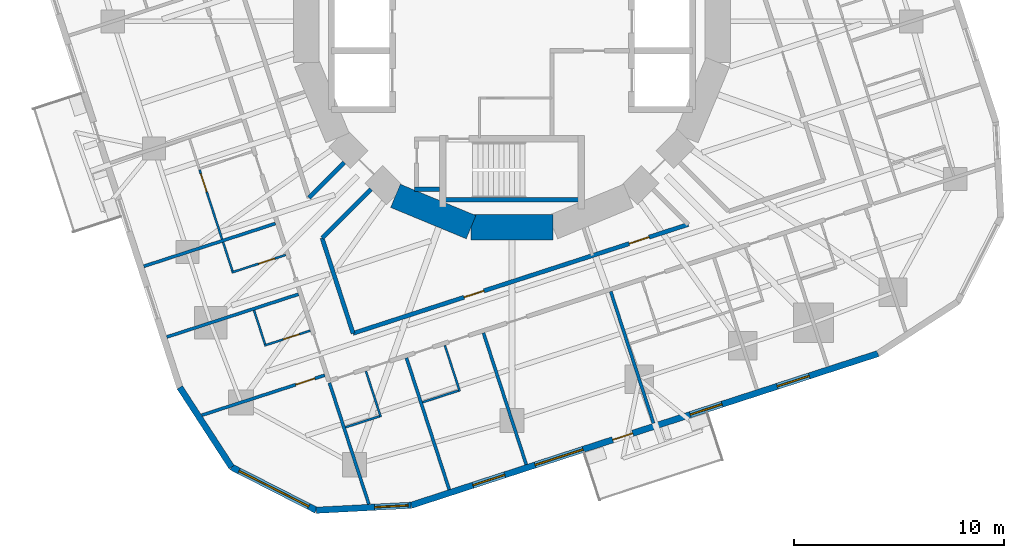
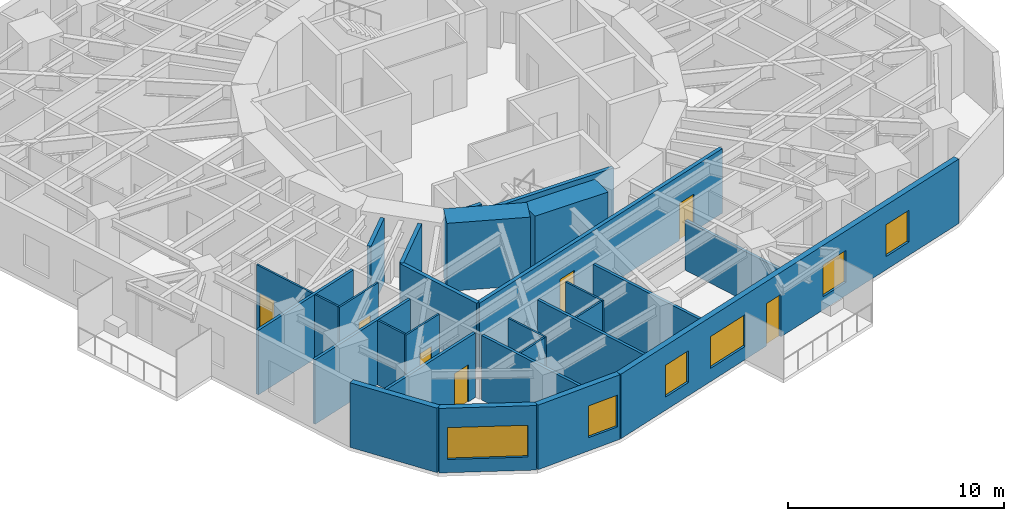
# One storey, part 4 of 12: 28 walls, 7 doors, 6 windows, 13 openings.
"""IFC4 building model written with IfcOpenShell, lengths in metres."""

from ifc_helpers import new_model, si_unit, direction, frame, frame_2d, origin, place, context, subcontext, project, spatial, rectangle, extrude, material, layer, layer_set, type_object, element, fill, save


model = new_model("IFC4")

# Units and contexts
model_context = context("Model", 3, precision=1e-05, world=origin(), true_north=direction((0.0, 1.0)))
body_context = subcontext(model_context, "Body", "Model", "MODEL_VIEW")
ifc_project = project(units=[si_unit("LENGTHUNIT", "METRE"), si_unit("AREAUNIT", "SQUARE_METRE"), si_unit("VOLUMEUNIT", "CUBIC_METRE"), si_unit("PLANEANGLEUNIT", "RADIAN"), si_unit("MASSUNIT", "GRAM", prefix="KILO")], contexts=[model_context])

# Site, building, storey
site_placement = place(None, origin())
site = spatial("IfcSite", under=ifc_project, at=site_placement, CompositionType="ELEMENT")
building_placement = place(site_placement, origin())
building = spatial("IfcBuilding", under=site, at=building_placement, Name="Nakasero Lantern House", CompositionType="ELEMENT")
storey_placement = place(building_placement, frame((0.0, 0.0, 145.64990234375)))
storey = spatial("IfcBuildingStorey", under=building, at=storey_placement, Name="L35", CompositionType="ELEMENT", Elevation=145.64990234375)

# Walls
ifc_material_1 = material(Name="Concrete C50/60", Category="concrete")
ifc_layer_1 = layer(ifc_material_1, 1.199951171875)
ifc_layer_set_1 = layer_set([ifc_layer_1], Name="Core wall 1200")
wall_type_1 = type_object("IfcWallType", Name="Core wall 1200", PredefinedType="SHEAR", material=ifc_layer_set_1)
for number, where, z_axis, x_axis, name in (
    (1, (-5.5556640625, -8.314697265625, 0.0), (0.0, 0.0, 1.0), (0.923876507187, -0.382690736062, 0.0), "Core wall L35 facet 11"),
    (2, (-1.950927734375, -9.807861328125, 0.0), (0.0, 0.0, 1.0), (1.0, 0.0, 0.0), "Core wall L35 facet 12"),
):
    element("IfcWall", number, at=place(storey_placement, frame(where, z_axis=z_axis, x_axis=x_axis)), inside=storey, type_object=wall_type_1, Name=name, PredefinedType="SHEAR", context=body_context, shape_type="SweptSolid", body=[
        extrude(rectangle(XDim=3.90185546875, YDim=1.199951171875, at=frame_2d((1.950927734375, 0.0))), origin(), (0.0, 0.0, 1.0), 3.85009765625),
    ])
ifc_material_2 = material(Name="Blockwork", Category="masonry")
ifc_layer_2 = layer(ifc_material_2, 0.199951171875)
ifc_layer_set_2 = layer_set([ifc_layer_2], Name="Corridor wall 200")
wall_type_2 = type_object("IfcWallType", Name="Corridor wall 200", PredefinedType="PARTITIONING", material=ifc_layer_set_2)
wall_1_placement = place(storey_placement, frame((-9.052490234375, -10.3251953125, 0.0), z_axis=(0.0, 0.0, 1.0), x_axis=(0.309013275037, -0.951057724773, 0.0)))
element("IfcWall", 3, at=wall_1_placement, inside=storey, type_object=wall_type_2, Name="Corridor wall L35 IW2-1", PredefinedType="PARTITIONING", context=body_context, shape_type="SweptSolid", body=[
    extrude(rectangle(XDim=4.777587890625, YDim=0.199951171875, at=frame_2d((2.388671875, 0.0))), origin(), (0.0, 0.0, 1.0), 3.650146484375),
])

# Wall, openings, doors
wall_2_placement = place(storey_placement, frame((-7.576171875, -14.868896484375, 0.0), z_axis=(0.0, 0.0, 1.0), x_axis=(0.951057770893, 0.309013133095, 0.0)))
wall_2 = element("IfcWall", 4, at=wall_2_placement, inside=storey, type_object=wall_type_2, Name="Corridor wall L35 IW3-0", PredefinedType="PARTITIONING", context=body_context, shape_type="SweptSolid", body=[
    extrude(rectangle(XDim=16.80224609375, YDim=0.199951171875, at=frame_2d((8.401123046875, 0.0))), origin(), (0.0, 0.0, 1.0), 3.650146484375),
])
opening_1_placement = place(wall_2_placement, frame((5.5625, 0.0, 0.0)))
opening_1 = element("IfcOpeningElement", 5, at=opening_1_placement, cuts=wall_2, Name="Opening D07", PredefinedType="OPENING", context=body_context, shape_type="SweptSolid", body=[
    extrude(rectangle(XDim=1.0, YDim=2.10009765625, at=frame_2d((0.5, 1.050048828125))), frame((0.0, 0.119873046875, 0.0), z_axis=(0.0, -1.0, 0.0), x_axis=(1.0, 0.0, 0.0)), (0.0, 0.0, 1.0), 0.239990234375),
])
opening_2_placement = place(wall_2_placement, frame((13.838623046875, 0.0, 0.0)))
opening_2 = element("IfcOpeningElement", 6, at=opening_2_placement, cuts=wall_2, Name="Opening D07", PredefinedType="OPENING", context=body_context, shape_type="SweptSolid", body=[
    extrude(rectangle(XDim=1.0, YDim=2.10009765625, at=frame_2d((0.5, 1.050048828125))), frame((0.0, 0.119873046875, 0.0), z_axis=(0.0, -1.0, 0.0), x_axis=(1.0, 0.0, 0.0)), (0.0, 0.0, 1.0), 0.239990234375),
])
ifc_material_3 = material(Name="Timber C24", Category="wood")
door_type_1 = type_object("IfcDoorType", Name="Room door FD30S 1000", OperationType="SINGLE_SWING_LEFT", PredefinedType="DOOR", material=ifc_material_3)
door_1_placement = place(opening_1_placement, origin())
door_1 = element("IfcDoor", 7, at=door_1_placement, inside=storey, type_object=door_type_1, Name="Door L35 DI2", OperationType="SINGLE_SWING_LEFT", OverallHeight=2.10009765625, OverallWidth=1.0, PredefinedType="DOOR", context=body_context, shape_type="SweptSolid", body=[
    extrude(rectangle(XDim=1.0, YDim=2.10009765625, at=frame_2d((0.5, 1.050048828125))), frame((0.0, 0.02490234375, 0.0), z_axis=(0.0, -1.0, 0.0), x_axis=(1.0, 0.0, 0.0)), (0.0, 0.0, 1.0), 0.050048828125),
])
fill(opening_1, door_1)
door_2_placement = place(opening_2_placement, origin())
door_2 = element("IfcDoor", 8, at=door_2_placement, inside=storey, type_object=door_type_1, Name="Door L35 DI3", OperationType="SINGLE_SWING_RIGHT", OverallHeight=2.10009765625, OverallWidth=1.0, PredefinedType="DOOR", context=body_context, shape_type="SweptSolid", body=[
    extrude(rectangle(XDim=1.0, YDim=2.10009765625, at=frame_2d((0.5, 1.050048828125))), frame((0.0, 0.02490234375, 0.0), z_axis=(0.0, -1.0, 0.0), x_axis=(1.0, 0.0, 0.0)), (0.0, 0.0, 1.0), 0.050048828125),
])
fill(opening_2, door_2)

# Walls
wall_3_placement = place(storey_placement, frame((-6.72314453125, -7.995849609375, 0.0), z_axis=(0.0, 0.0, 1.0), x_axis=(-0.707106781187, -0.707106781187, 0.0)))
element("IfcWall", 9, at=wall_3_placement, inside=storey, type_object=wall_type_2, Name="Corridor wall L35 PS10a", PredefinedType="PARTITIONING", context=body_context, shape_type="SweptSolid", body=[
    extrude(rectangle(XDim=3.294189453125, YDim=0.199951171875, at=frame_2d((1.64697265625, 0.0))), origin(), (0.0, 0.0, 1.0), 3.650146484375),
])
wall_4_placement = place(storey_placement, frame((-7.995849609375, -6.72314453125, 0.0), z_axis=(0.0, 0.0, 1.0), x_axis=(-0.707158134306, -0.707055424337, 0.0)))
element("IfcWall", 10, at=wall_4_placement, inside=storey, type_object=wall_type_2, Name="Corridor wall L35 PS10b", PredefinedType="PARTITIONING", context=body_context, shape_type="SweptSolid", body=[
    extrude(rectangle(XDim=2.376953125, YDim=0.199951171875, at=frame_2d((1.1884765625, 0.0))), origin(), (0.0, 0.0, 1.0), 3.650146484375),
])

# Wall, opening, door
ifc_material_4 = material(Name="Blockwork", Category="masonry")
ifc_layer_3 = layer(ifc_material_4, 0.10009765625)
ifc_layer_set_3 = layer_set([ifc_layer_3], Name="En-suite wall 100")
wall_type_3 = type_object("IfcWallType", Name="En-suite wall 100", PredefinedType="PARTITIONING", material=ifc_layer_set_3)
wall_5_placement = place(storey_placement, frame((-10.7880859375, -11.131591796875, 0.0), z_axis=(0.0, 0.0, 1.0), x_axis=(-0.951043371037, -0.309057448393, 0.0)))
wall_5 = element("IfcWall", 11, at=wall_5_placement, inside=storey, type_object=wall_type_3, Name="En-suite wall L35 ES2-05", PredefinedType="PARTITIONING", context=body_context, shape_type="SweptSolid", body=[
    extrude(rectangle(XDim=2.699951171875, YDim=0.10009765625, at=frame_2d((1.35009765625, 0.0))), origin(), (0.0, 0.0, 1.0), 3.650146484375),
])
opening_3_placement = place(wall_5_placement, frame((0.550048828125, 0.0, 0.0)))
opening_3 = element("IfcOpeningElement", 12, at=opening_3_placement, cuts=wall_5, Name="Opening D02", PredefinedType="OPENING", context=body_context, shape_type="SweptSolid", body=[
    extrude(rectangle(XDim=0.800048828125, YDim=2.10009765625, at=frame_2d((0.39990234375, 1.050048828125))), frame((0.0, 0.070068359375, 0.0), z_axis=(0.0, -1.0, 0.0), x_axis=(1.0, 0.0, 0.0)), (0.0, 0.0, 1.0), 0.14013671875),
])
ifc_material_5 = material(Name="Timber C24", Category="wood")
door_type_2 = type_object("IfcDoorType", Name="En-suite door 800", OperationType="SINGLE_SWING_RIGHT", PredefinedType="DOOR", material=ifc_material_5)
door_3_placement = place(opening_3_placement, origin())
door_3 = element("IfcDoor", 13, at=door_3_placement, inside=storey, type_object=door_type_2, Name="Door L35 DE2-05", OperationType="SINGLE_SWING_LEFT", OverallHeight=2.10009765625, OverallWidth=0.800048828125, PredefinedType="DOOR", context=body_context, shape_type="SweptSolid", body=[
    extrude(rectangle(XDim=0.800048828125, YDim=2.10009765625, at=frame_2d((0.39990234375, 1.050048828125))), frame((0.0, 0.02490234375, 0.0), z_axis=(0.0, -1.0, 0.0), x_axis=(1.0, 0.0, 0.0)), (0.0, 0.0, 1.0), 0.050048828125),
])
fill(opening_3, door_3)

# Wall
wall_6_placement = place(storey_placement, frame((-13.77197265625, -10.52392578125, 0.0), z_axis=(0.0, 0.0, 1.0), x_axis=(0.308945211672, -0.951079836914, 0.0)))
element("IfcWall", 14, at=wall_6_placement, inside=storey, type_object=wall_type_3, Name="En-suite wall L35 EE2-05", PredefinedType="PARTITIONING", context=body_context, shape_type="SweptSolid", body=[
    extrude(rectangle(XDim=1.4501953125, YDim=0.10009765625, at=frame_2d((0.72509765625, 0.0))), origin(), (0.0, 0.0, 1.0), 3.650146484375),
])

# Wall, opening, door
wall_7_placement = place(storey_placement, frame((-9.61572265625, -14.740234375, 0.0), z_axis=(0.0, 0.0, 1.0), x_axis=(-0.951055129775, -0.309021261611, 0.0)))
wall_7 = element("IfcWall", 15, at=wall_7_placement, inside=storey, type_object=wall_type_3, Name="En-suite wall L35 ES2-06", PredefinedType="PARTITIONING", context=body_context, shape_type="SweptSolid", body=[
    extrude(rectangle(XDim=2.2998046875, YDim=0.10009765625, at=frame_2d((1.14990234375, 0.0))), origin(), (0.0, 0.0, 1.0), 3.650146484375),
])
opening_4_placement = place(wall_7_placement, frame((0.550048828125, 0.0, 0.0)))
opening_4 = element("IfcOpeningElement", 16, at=opening_4_placement, cuts=wall_7, Name="Opening D02", PredefinedType="OPENING", context=body_context, shape_type="SweptSolid", body=[
    extrude(rectangle(XDim=0.800048828125, YDim=2.10009765625, at=frame_2d((0.39990234375, 1.050048828125))), frame((0.0, 0.070068359375, 0.0), z_axis=(0.0, -1.0, 0.0), x_axis=(1.0, 0.0, 0.0)), (0.0, 0.0, 1.0), 0.14013671875),
])
door_4_placement = place(opening_4_placement, origin())
door_4 = element("IfcDoor", 17, at=door_4_placement, inside=storey, type_object=door_type_2, Name="Door L35 DE2-06", OperationType="SINGLE_SWING_LEFT", OverallHeight=2.10009765625, OverallWidth=0.800048828125, PredefinedType="DOOR", context=body_context, shape_type="SweptSolid", body=[
    extrude(rectangle(XDim=0.800048828125, YDim=2.10009765625, at=frame_2d((0.39990234375, 1.050048828125))), frame((0.0, 0.02490234375, 0.0), z_axis=(0.0, -1.0, 0.0), x_axis=(1.0, 0.0, 0.0)), (0.0, 0.0, 1.0), 0.050048828125),
])
fill(opening_4, door_4)

# Walls
wall_8_placement = place(storey_placement, frame((-12.29638671875, -13.771240234375, 0.0), z_axis=(0.0, 0.0, 1.0), x_axis=(0.309066587596, -0.951040401051, 0.0)))
element("IfcWall", 18, at=wall_8_placement, inside=storey, type_object=wall_type_3, Name="En-suite wall L35 EE2-06", PredefinedType="PARTITIONING", context=body_context, shape_type="SweptSolid", body=[
    extrude(rectangle(XDim=1.699951171875, YDim=0.10009765625, at=frame_2d((0.85009765625, 0.0))), origin(), (0.0, 0.0, 1.0), 3.650146484375),
])
wall_9_placement = place(storey_placement, frame((-6.965087890625, -16.668212890625, 0.0), z_axis=(0.0, 0.0, 1.0), x_axis=(0.309021261611, -0.951055129775, 0.0)))
element("IfcWall", 19, at=wall_9_placement, inside=storey, type_object=wall_type_3, Name="En-suite wall L35 ES3-00", PredefinedType="PARTITIONING", context=body_context, shape_type="SweptSolid", body=[
    extrude(rectangle(XDim=2.2998046875, YDim=0.10009765625, at=frame_2d((1.14990234375, 0.0))), origin(), (0.0, 0.0, 1.0), 3.650146484375),
])
wall_10_placement = place(storey_placement, frame((-7.934326171875, -19.348876953125, 0.0), z_axis=(0.0, 0.0, 1.0), x_axis=(0.951054116971, 0.309024378638, 0.0)))
element("IfcWall", 20, at=wall_10_placement, inside=storey, type_object=wall_type_3, Name="En-suite wall L35 EE3-00", PredefinedType="PARTITIONING", context=body_context, shape_type="SweptSolid", body=[
    extrude(rectangle(XDim=1.7001953125, YDim=0.10009765625, at=frame_2d((0.85009765625, 0.0))), origin(), (0.0, 0.0, 1.0), 3.650146484375),
])
wall_11_placement = place(storey_placement, frame((-3.199462890625, -15.444580078125, 0.0), z_axis=(0.0, 0.0, 1.0), x_axis=(0.308990065628, -0.951065265554, 0.0)))
element("IfcWall", 21, at=wall_11_placement, inside=storey, type_object=wall_type_3, Name="En-suite wall L35 ES3-01", PredefinedType="PARTITIONING", context=body_context, shape_type="SweptSolid", body=[
    extrude(rectangle(XDim=2.300048828125, YDim=0.10009765625, at=frame_2d((1.14990234375, 0.0))), origin(), (0.0, 0.0, 1.0), 3.650146484375),
])
wall_12_placement = place(storey_placement, frame((-4.263671875, -18.15625, 0.0), z_axis=(0.0, 0.0, 1.0), x_axis=(0.951030081821, 0.309098339485, 0.0)))
element("IfcWall", 22, at=wall_12_placement, inside=storey, type_object=wall_type_3, Name="En-suite wall L35 EE3-01", PredefinedType="PARTITIONING", context=body_context, shape_type="SweptSolid", body=[
    extrude(rectangle(XDim=1.800048828125, YDim=0.10009765625, at=frame_2d((0.89990234375, 0.0))), origin(), (0.0, 0.0, 1.0), 3.650146484375),
])

# Wall, opening, door
wall_13_placement = place(storey_placement, frame((-14.89404296875, -7.070556640625, 0.0), z_axis=(0.0, 0.0, 1.0), x_axis=(0.309002023619, -0.951061380458, 0.0)))
wall_13 = element("IfcWall", 23, at=wall_13_placement, inside=storey, type_object=wall_type_3, Name="En-suite wall L35 EL2-04", PredefinedType="PARTITIONING", context=body_context, shape_type="SweptSolid", body=[
    extrude(rectangle(XDim=3.481201171875, YDim=0.10009765625, at=frame_2d((1.74072265625, 0.0))), origin(), (0.0, 0.0, 1.0), 3.650146484375),
])
opening_5_placement = place(wall_13_placement, frame((0.199951171875, 0.0, 0.0)))
opening_5 = element("IfcOpeningElement", 24, at=opening_5_placement, cuts=wall_13, Name="Opening D17", PredefinedType="OPENING", context=body_context, shape_type="SweptSolid", body=[
    extrude(rectangle(XDim=0.89990234375, YDim=2.10009765625, at=frame_2d((0.449951171875, 1.050048828125))), frame((0.0, 0.070068359375, 0.0), z_axis=(0.0, -1.0, 0.0), x_axis=(1.0, 0.0, 0.0)), (0.0, 0.0, 1.0), 0.14013671875),
])
ifc_material_6 = material(Name="Timber C24", Category="wood")
door_type_3 = type_object("IfcDoorType", Name="Bedroom door FD30S 900", OperationType="SINGLE_SWING_LEFT", PredefinedType="DOOR", material=ifc_material_6)
door_5_placement = place(opening_5_placement, origin())
door_5 = element("IfcDoor", 25, at=door_5_placement, inside=storey, type_object=door_type_3, Name="Door L35 DL2-04", OperationType="SINGLE_SWING_LEFT", OverallHeight=2.10009765625, OverallWidth=0.89990234375, PredefinedType="DOOR", context=body_context, shape_type="SweptSolid", body=[
    extrude(rectangle(XDim=0.89990234375, YDim=2.10009765625, at=frame_2d((0.449951171875, 1.050048828125))), frame((0.0, 0.02490234375, 0.0), z_axis=(0.0, -1.0, 0.0), x_axis=(1.0, 0.0, 0.0)), (0.0, 0.0, 1.0), 0.050048828125),
])
fill(opening_5, door_5)

# Wall
ifc_material_7 = material(Name="Aluminium rainscreen on blockwork", Category="masonry")
ifc_layer_4 = layer(ifc_material_7, 0.300048828125)
ifc_layer_set_4 = layer_set([ifc_layer_4], Name="Facade wall 300")
wall_type_4 = type_object("IfcWallType", Name="Facade wall 300", PredefinedType="SOLIDWALL", material=ifc_layer_set_4)
wall_14_placement = place(storey_placement, frame((-15.83349609375, -17.44677734375, 0.0), z_axis=(0.0, 0.0, 1.0), x_axis=(0.544634002266, -0.838673836229, 0.0)))
element("IfcWall", 26, at=wall_14_placement, inside=storey, type_object=wall_type_4, Name="Facade wall L35 FW2C1", PredefinedType="SOLIDWALL", context=body_context, shape_type="SweptSolid", body=[
    extrude(rectangle(XDim=4.529296875, YDim=0.300048828125, at=frame_2d((2.2646484375, 0.0))), origin(), (0.0, 0.0, 1.0), 3.650146484375),
])

# Wall, opening, window
wall_15_placement = place(storey_placement, frame((-13.36669921875, -21.245361328125, 0.0), z_axis=(0.0, 0.0, 1.0), x_axis=(0.890994655705, -0.454013792196, 0.0)))
wall_15 = element("IfcWall", 27, at=wall_15_placement, inside=storey, type_object=wall_type_4, Name="Facade wall L35 FW2C2", PredefinedType="SOLIDWALL", context=body_context, shape_type="SweptSolid", body=[
    extrude(rectangle(XDim=4.529296875, YDim=0.300048828125, at=frame_2d((2.2646484375, 0.0))), origin(), (0.0, 0.0, 1.0), 3.650146484375),
])
opening_6_placement = place(wall_15_placement, frame((0.39990234375, 0.0, 0.75)))
opening_6 = element("IfcOpeningElement", 28, at=opening_6_placement, cuts=wall_15, Name="Opening W237A", PredefinedType="OPENING", context=body_context, shape_type="SweptSolid", body=[
    extrude(rectangle(XDim=3.72900390625, YDim=1.800048828125, at=frame_2d((1.864501953125, 0.89990234375))), frame((0.0, 0.169921875, 0.0), z_axis=(0.0, -1.0, 0.0), x_axis=(1.0, 0.0, 0.0)), (0.0, 0.0, 1.0), 0.340087890625),
])
ifc_material_8 = material(Name="Aluminium 6063-T6 and glass", Category="aluminium")
window_type_1 = type_object("IfcWindowType", Name="Corner window 3729x1800", PartitioningType="SINGLE_PANEL", PredefinedType="WINDOW", material=ifc_material_8)
window_1_placement = place(opening_6_placement, origin())
window_1 = element("IfcWindow", 29, at=window_1_placement, inside=storey, type_object=window_type_1, Name="Window L35 WC2", OverallHeight=1.800048828125, OverallWidth=3.72900390625, PartitioningType="SINGLE_PANEL", PredefinedType="WINDOW", context=body_context, shape_type="SweptSolid", body=[
    extrude(rectangle(XDim=3.72900390625, YDim=1.800048828125, at=frame_2d((1.864501953125, 0.89990234375))), frame((0.0, 0.030029296875, 0.0), z_axis=(0.0, -1.0, 0.0), x_axis=(1.0, 0.0, 0.0)), (0.0, 0.0, 1.0), 0.06005859375),
])
fill(opening_6, window_1)

wall_16_placement = place(storey_placement, frame((-9.3310546875, -23.3017578125, 0.0), z_axis=(0.0, 0.0, 1.0), x_axis=(0.998629419044, 0.052338164079, 0.0)))
wall_16 = element("IfcWall", 30, at=wall_16_placement, inside=storey, type_object=wall_type_4, Name="Facade wall L35 FW2C3", PredefinedType="SOLIDWALL", context=body_context, shape_type="SweptSolid", body=[
    extrude(rectangle(XDim=4.529296875, YDim=0.300048828125, at=frame_2d((2.2646484375, 0.0))), origin(), (0.0, 0.0, 1.0), 3.650146484375),
])
opening_7_placement = place(wall_16_placement, frame((2.784912109375, 0.0, 0.75)))
opening_7 = element("IfcOpeningElement", 31, at=opening_7_placement, cuts=wall_16, Name="Opening W01", PredefinedType="OPENING", context=body_context, shape_type="SweptSolid", body=[
    extrude(rectangle(XDim=1.60009765625, YDim=1.800048828125, at=frame_2d((0.800048828125, 0.89990234375))), frame((0.0, 0.169921875, 0.0), z_axis=(0.0, -1.0, 0.0), x_axis=(1.0, 0.0, 0.0)), (0.0, 0.0, 1.0), 0.340087890625),
])
ifc_material_9 = material(Name="Aluminium 6063-T6 and glass", Category="aluminium")
window_type_2 = type_object("IfcWindowType", Name="Bedroom window 1600x1800", PartitioningType="SINGLE_PANEL", PredefinedType="WINDOW", material=ifc_material_9)
window_2_placement = place(opening_7_placement, origin())
window_2 = element("IfcWindow", 32, at=window_2_placement, inside=storey, type_object=window_type_2, Name="Window L35 WN3-00", OverallHeight=1.800048828125, OverallWidth=1.60009765625, PartitioningType="SINGLE_PANEL", PredefinedType="WINDOW", context=body_context, shape_type="SweptSolid", body=[
    extrude(rectangle(XDim=1.60009765625, YDim=1.800048828125, at=frame_2d((0.800048828125, 0.89990234375))), frame((0.0, 0.030029296875, 0.0), z_axis=(0.0, -1.0, 0.0), x_axis=(1.0, 0.0, 0.0)), (0.0, 0.0, 1.0), 0.06005859375),
])
fill(opening_7, window_2)

# Wall, openings, door, windows
wall_17_placement = place(storey_placement, frame((-4.807861328125, -23.064697265625, 0.0), z_axis=(0.0, 0.0, 1.0), x_axis=(0.951053618334, 0.30902591324, 0.0)))
wall_17 = element("IfcWall", 33, at=wall_17_placement, inside=storey, type_object=wall_type_4, Name="Facade wall L35 FW3S", PredefinedType="SOLIDWALL", context=body_context, shape_type="SweptSolid", body=[
    extrude(rectangle(XDim=23.39990234375, YDim=0.300048828125, at=frame_2d((11.699951171875, 0.0))), origin(), (0.0, 0.0, 1.0), 3.650146484375),
])
opening_8_placement = place(wall_17_placement, frame((3.089111328125, 0.0, 0.75)))
opening_8 = element("IfcOpeningElement", 34, at=opening_8_placement, cuts=wall_17, Name="Opening W01", PredefinedType="OPENING", context=body_context, shape_type="SweptSolid", body=[
    extrude(rectangle(XDim=1.60009765625, YDim=1.800048828125, at=frame_2d((0.800048828125, 0.89990234375))), frame((0.0, 0.169921875, 0.0), z_axis=(0.0, -1.0, 0.0), x_axis=(1.0, 0.0, 0.0)), (0.0, 0.0, 1.0), 0.340087890625),
])
opening_9_placement = place(wall_17_placement, frame((13.987548828125, 0.0, 0.75)))
opening_9 = element("IfcOpeningElement", 35, at=opening_9_placement, cuts=wall_17, Name="Opening W01", PredefinedType="OPENING", context=body_context, shape_type="SweptSolid", body=[
    extrude(rectangle(XDim=1.60009765625, YDim=1.800048828125, at=frame_2d((0.800048828125, 0.89990234375))), frame((0.0, 0.169921875, 0.0), z_axis=(0.0, -1.0, 0.0), x_axis=(1.0, 0.0, 0.0)), (0.0, 0.0, 1.0), 0.340087890625),
])
opening_10_placement = place(wall_17_placement, frame((18.350341796875, 0.0, 0.75)))
opening_10 = element("IfcOpeningElement", 36, at=opening_10_placement, cuts=wall_17, Name="Opening W01", PredefinedType="OPENING", context=body_context, shape_type="SweptSolid", body=[
    extrude(rectangle(XDim=1.60009765625, YDim=1.800048828125, at=frame_2d((0.800048828125, 0.89990234375))), frame((0.0, 0.169921875, 0.0), z_axis=(0.0, -1.0, 0.0), x_axis=(1.0, 0.0, 0.0)), (0.0, 0.0, 1.0), 0.340087890625),
])
opening_11_placement = place(wall_17_placement, frame((6.21337890625, 0.0, 0.75)))
opening_11 = element("IfcOpeningElement", 37, at=opening_11_placement, cuts=wall_17, Name="Opening W03", PredefinedType="OPENING", context=body_context, shape_type="SweptSolid", body=[
    extrude(rectangle(XDim=2.39990234375, YDim=1.800048828125, at=frame_2d((1.199951171875, 0.89990234375))), frame((0.0, 0.169921875, 0.0), z_axis=(0.0, -1.0, 0.0), x_axis=(1.0, 0.0, 0.0)), (0.0, 0.0, 1.0), 0.340087890625),
])
opening_12_placement = place(wall_17_placement, frame((10.1025390625, 0.0, 0.0)))
opening_12 = element("IfcOpeningElement", 38, at=opening_12_placement, cuts=wall_17, Name="Opening D04", PredefinedType="OPENING", context=body_context, shape_type="SweptSolid", body=[
    extrude(rectangle(XDim=1.0, YDim=2.39990234375, at=frame_2d((0.5, 1.199951171875))), frame((0.0, 0.169921875, 0.0), z_axis=(0.0, -1.0, 0.0), x_axis=(1.0, 0.0, 0.0)), (0.0, 0.0, 1.0), 0.340087890625),
])
ifc_material_10 = material(Name="Aluminium 6063-T6 and glass", Category="aluminium")
door_type_4 = type_object("IfcDoorType", Name="Balcony door 1000x2400", OperationType="SINGLE_SWING_RIGHT", PredefinedType="DOOR", material=ifc_material_10)
door_6_placement = place(opening_12_placement, origin())
door_6 = element("IfcDoor", 39, at=door_6_placement, inside=storey, type_object=door_type_4, Name="Balcony door L35 DB3", OperationType="SINGLE_SWING_RIGHT", OverallHeight=2.39990234375, OverallWidth=1.0, PredefinedType="DOOR", context=body_context, shape_type="SweptSolid", body=[
    extrude(rectangle(XDim=1.0, YDim=2.39990234375, at=frame_2d((0.5, 1.199951171875))), frame((0.0, 0.02490234375, 0.0), z_axis=(0.0, -1.0, 0.0), x_axis=(1.0, 0.0, 0.0)), (0.0, 0.0, 1.0), 0.050048828125),
])
fill(opening_12, door_6)
window_3_placement = place(opening_8_placement, origin())
window_3 = element("IfcWindow", 40, at=window_3_placement, inside=storey, type_object=window_type_2, Name="Window L35 WN3-01", OverallHeight=1.800048828125, OverallWidth=1.60009765625, PartitioningType="SINGLE_PANEL", PredefinedType="WINDOW", context=body_context, shape_type="SweptSolid", body=[
    extrude(rectangle(XDim=1.60009765625, YDim=1.800048828125, at=frame_2d((0.800048828125, 0.89990234375))), frame((0.0, 0.030029296875, 0.0), z_axis=(0.0, -1.0, 0.0), x_axis=(1.0, 0.0, 0.0)), (0.0, 0.0, 1.0), 0.06005859375),
])
fill(opening_8, window_3)
window_4_placement = place(opening_9_placement, origin())
window_4 = element("IfcWindow", 41, at=window_4_placement, inside=storey, type_object=window_type_2, Name="Window L35 WN3-04", OverallHeight=1.800048828125, OverallWidth=1.60009765625, PartitioningType="SINGLE_PANEL", PredefinedType="WINDOW", context=body_context, shape_type="SweptSolid", body=[
    extrude(rectangle(XDim=1.60009765625, YDim=1.800048828125, at=frame_2d((0.800048828125, 0.89990234375))), frame((0.0, 0.030029296875, 0.0), z_axis=(0.0, -1.0, 0.0), x_axis=(1.0, 0.0, 0.0)), (0.0, 0.0, 1.0), 0.06005859375),
])
fill(opening_9, window_4)
window_5_placement = place(opening_10_placement, origin())
window_5 = element("IfcWindow", 42, at=window_5_placement, inside=storey, type_object=window_type_2, Name="Window L35 WN3-05", OverallHeight=1.800048828125, OverallWidth=1.60009765625, PartitioningType="SINGLE_PANEL", PredefinedType="WINDOW", context=body_context, shape_type="SweptSolid", body=[
    extrude(rectangle(XDim=1.60009765625, YDim=1.800048828125, at=frame_2d((0.800048828125, 0.89990234375))), frame((0.0, 0.030029296875, 0.0), z_axis=(0.0, -1.0, 0.0), x_axis=(1.0, 0.0, 0.0)), (0.0, 0.0, 1.0), 0.06005859375),
])
fill(opening_10, window_5)
ifc_material_11 = material(Name="Aluminium 6063-T6 and glass", Category="aluminium")
window_type_3 = type_object("IfcWindowType", Name="Lounge window 2400x1800", PartitioningType="SINGLE_PANEL", PredefinedType="WINDOW", material=ifc_material_11)
window_6_placement = place(opening_11_placement, origin())
window_6 = element("IfcWindow", 43, at=window_6_placement, inside=storey, type_object=window_type_3, Name="Window L35 WK3", OverallHeight=1.800048828125, OverallWidth=2.39990234375, PartitioningType="SINGLE_PANEL", PredefinedType="WINDOW", context=body_context, shape_type="SweptSolid", body=[
    extrude(rectangle(XDim=2.39990234375, YDim=1.800048828125, at=frame_2d((1.199951171875, 0.89990234375))), frame((0.0, 0.030029296875, 0.0), z_axis=(0.0, -1.0, 0.0), x_axis=(1.0, 0.0, 0.0)), (0.0, 0.0, 1.0), 0.06005859375),
])
fill(opening_11, window_6)

# Walls
ifc_material_12 = material(Name="Blockwork", Category="masonry")
ifc_layer_5 = layer(ifc_material_12, 0.199951171875)
ifc_layer_set_5 = layer_set([ifc_layer_5], Name="Fire lobby wall 200")
wall_type_5 = type_object("IfcWallType", Name="Fire lobby wall 200", PredefinedType="PARTITIONING", material=ifc_layer_set_5)
wall_18_placement = place(storey_placement, frame((-3.449951171875, -8.0, 0.0), z_axis=(0.0, 0.0, 1.0), x_axis=(-1.0, 0.0, 0.0)))
element("IfcWall", 44, at=wall_18_placement, inside=storey, type_object=wall_type_5, Name="Fire lobby wall L35 W-RS2S", PredefinedType="PARTITIONING", context=body_context, shape_type="SweptSolid", body=[
    extrude(rectangle(XDim=1.199951171875, YDim=0.199951171875, at=frame_2d((0.60009765625, 0.0))), origin(), (0.0, 0.0, 1.0), 3.650146484375),
])
wall_19_placement = place(storey_placement, frame((-3.300048828125, -8.5, 0.0), z_axis=(0.0, 0.0, 1.0), x_axis=(1.0, 0.0, 0.0)))
element("IfcWall", 45, at=wall_19_placement, inside=storey, type_object=wall_type_5, Name="Fire lobby wall L35 W-STS", PredefinedType="PARTITIONING", context=body_context, shape_type="SweptSolid", body=[
    extrude(rectangle(XDim=6.60009765625, YDim=0.199951171875, at=frame_2d((3.300048828125, 0.0))), origin(), (0.0, 0.0, 1.0), 3.650146484375),
])
ifc_material_13 = material(Name="Blockwork", Category="masonry")
ifc_layer_6 = layer(ifc_material_13, 0.14990234375)
ifc_layer_set_6 = layer_set([ifc_layer_6], Name="Party wall 150")
wall_type_6 = type_object("IfcWallType", Name="Party wall 150", PredefinedType="PARTITIONING", material=ifc_layer_set_6)
for number, where, z_axis, x_axis, name in (
    (46, (-11.27490234375, -9.6337890625, 0.0), (0.0, 0.0, 1.0), (-0.951053095941, -0.309027520945, 0.0), "Party wall L35 PW2-05"),
    (47, (-10.1796875, -13.004638671875, 0.0), (0.0, 0.0, 1.0), (-0.951053095941, -0.309027520945, 0.0), "Party wall L35 PW2-06"),
):
    element("IfcWall", number, at=place(storey_placement, frame(where, z_axis=z_axis, x_axis=x_axis)), inside=storey, type_object=wall_type_6, Name=name, PredefinedType="PARTITIONING", context=body_context, shape_type="SweptSolid", body=[
        extrude(rectangle(XDim=6.599853515625, YDim=0.14990234375, at=frame_2d((3.2998046875, 0.0))), origin(), (0.0, 0.0, 1.0), 3.650146484375),
    ])

# Wall, opening, door
wall_20_placement = place(storey_placement, frame((-8.9248046875, -16.8662109375, 0.0), z_axis=(0.0, 0.0, 1.0), x_axis=(-0.951051818488, -0.309031452366, 0.0)))
wall_20 = element("IfcWall", 48, at=wall_20_placement, inside=storey, type_object=wall_type_6, Name="Party wall L35 PC2", PredefinedType="PARTITIONING", context=body_context, shape_type="SweptSolid", body=[
    extrude(rectangle(XDim=6.165283203125, YDim=0.14990234375, at=frame_2d((3.08251953125, 0.0))), origin(), (0.0, 0.0, 1.0), 3.650146484375),
])
opening_13_placement = place(wall_20_placement, frame((0.5, 0.0, 0.0)))
opening_13 = element("IfcOpeningElement", 49, at=opening_13_placement, cuts=wall_20, Name="Opening D01", PredefinedType="OPENING", context=body_context, shape_type="SweptSolid", body=[
    extrude(rectangle(XDim=0.949951171875, YDim=2.10009765625, at=frame_2d((0.47509765625, 1.050048828125))), frame((0.0, 0.094970703125, 0.0), z_axis=(0.0, -1.0, 0.0), x_axis=(1.0, 0.0, 0.0)), (0.0, 0.0, 1.0), 0.18994140625),
])
ifc_material_14 = material(Name="Timber C24", Category="wood")
door_type_5 = type_object("IfcDoorType", Name="Bedroom door FD30S 950", OperationType="SINGLE_SWING_LEFT", PredefinedType="DOOR", material=ifc_material_14)
door_7_placement = place(opening_13_placement, origin())
door_7 = element("IfcDoor", 50, at=door_7_placement, inside=storey, type_object=door_type_5, Name="Door L35 DC2", OperationType="SINGLE_SWING_LEFT", OverallHeight=2.10009765625, OverallWidth=0.949951171875, PredefinedType="DOOR", context=body_context, shape_type="SweptSolid", body=[
    extrude(rectangle(XDim=0.949951171875, YDim=2.10009765625, at=frame_2d((0.47509765625, 1.050048828125))), frame((0.0, 0.02490234375, 0.0), z_axis=(0.0, -1.0, 0.0), x_axis=(1.0, 0.0, 0.0)), (0.0, 0.0, 1.0), 0.050048828125),
])
fill(opening_13, door_7)

# Walls
wall_21_placement = place(storey_placement, frame((-8.700927734375, -17.232177734375, 0.0), z_axis=(0.0, 0.0, 1.0), x_axis=(0.309015253813, -0.951057081836, 0.0)))
element("IfcWall", 51, at=wall_21_placement, inside=storey, type_object=wall_type_6, Name="Party wall L35 PW3-00", PredefinedType="PARTITIONING", context=body_context, shape_type="SweptSolid", body=[
    extrude(rectangle(XDim=6.080322265625, YDim=0.14990234375, at=frame_2d((3.0400390625, 0.0))), origin(), (0.0, 0.0, 1.0), 3.650146484375),
])
for number, where, z_axis, x_axis, name in (
    (52, (-5.0302734375, -16.03955078125, 0.0), (0.0, 0.0, 1.0), (0.309027520945, -0.951053095941, 0.0), "Party wall L35 PW3-01"),
    (53, (-1.359619140625, -14.846923828125, 0.0), (0.0, 0.0, 1.0), (0.309027520945, -0.951053095941, 0.0), "Party wall L35 PW3-02"),
):
    element("IfcWall", number, at=place(storey_placement, frame(where, z_axis=z_axis, x_axis=x_axis)), inside=storey, type_object=wall_type_6, Name=name, PredefinedType="PARTITIONING", context=body_context, shape_type="SweptSolid", body=[
        extrude(rectangle(XDim=6.599853515625, YDim=0.14990234375, at=frame_2d((3.2998046875, 0.0))), origin(), (0.0, 0.0, 1.0), 3.650146484375),
    ])
wall_22_placement = place(storey_placement, frame((4.706298828125, -12.8759765625, 0.0), z_axis=(0.0, 0.0, 1.0), x_axis=(0.309027520945, -0.951053095941, 0.0)))
element("IfcWall", 54, at=wall_22_placement, inside=storey, type_object=wall_type_6, Name="Party wall L35 PW3-04", PredefinedType="PARTITIONING", context=body_context, shape_type="SweptSolid", body=[
    extrude(rectangle(XDim=6.599853515625, YDim=0.14990234375, at=frame_2d((3.2998046875, 0.0))), origin(), (0.0, 0.0, 1.0), 2.809326171875),
])

save(model, "model.ifc")
